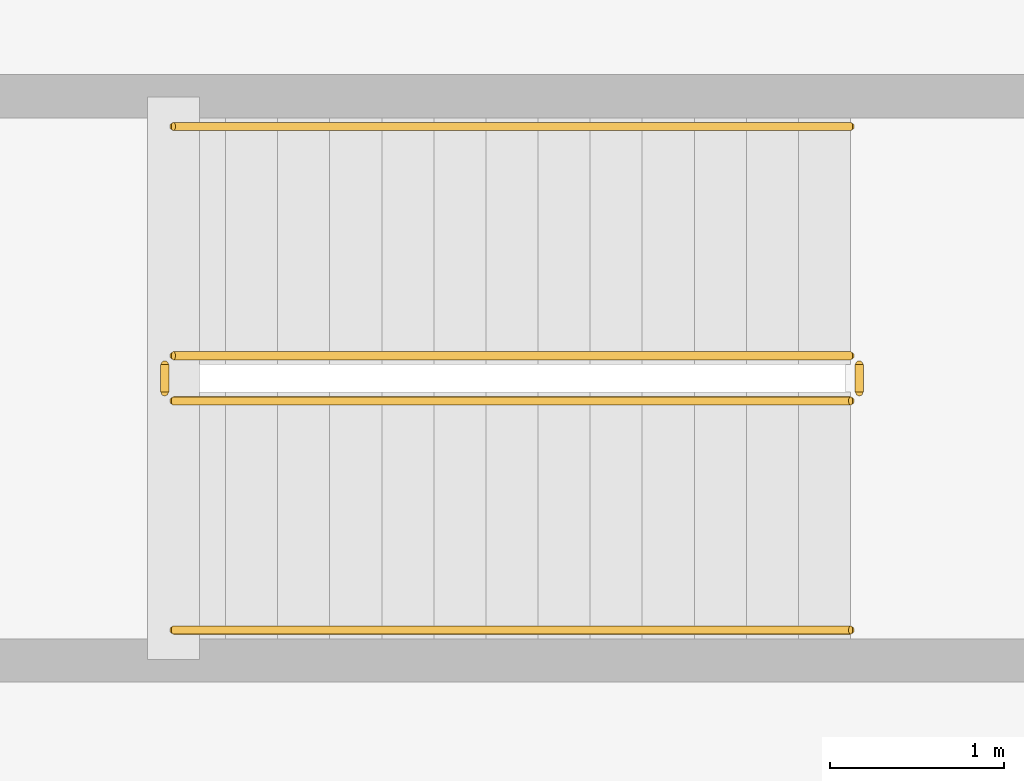
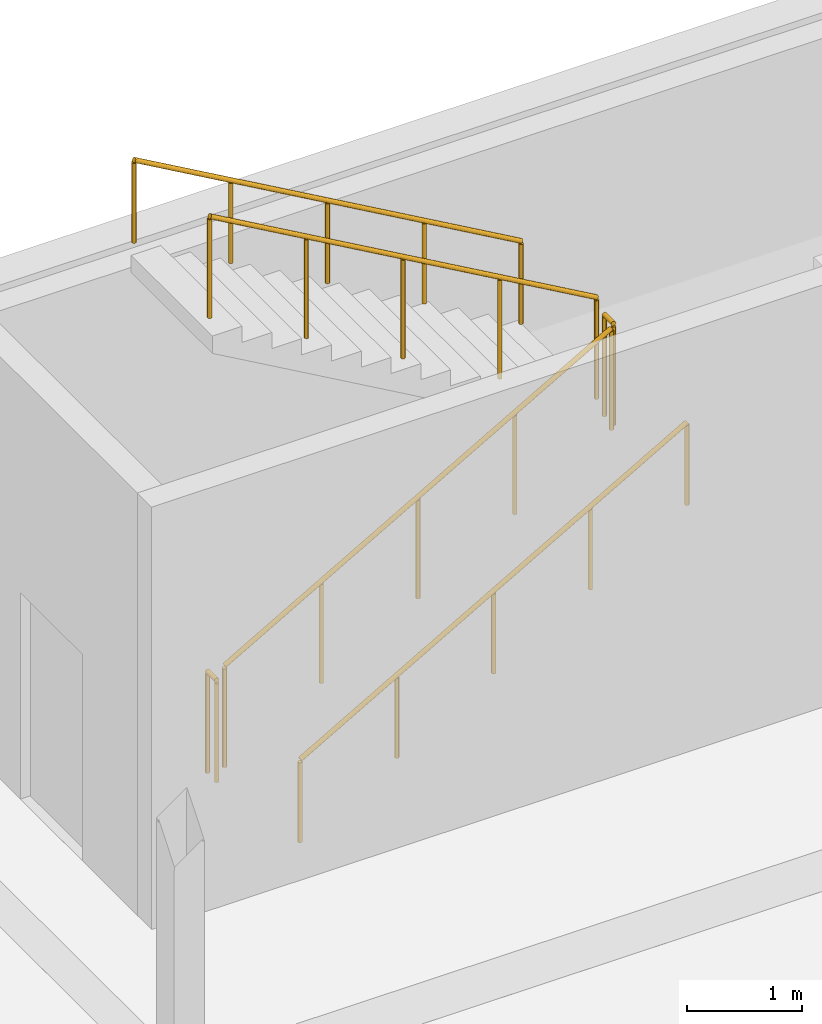
# One storey, part 84 of 101: 6 railings.
"""IFC4 building model written with IfcOpenShell, lengths in metres."""

from ifc_helpers import new_model, si_unit, direction, frame, origin, origin_2d, place, context, subcontext, project, spatial, circle, extrude, material, layer, layer_set, type_object, element, save


model = new_model("IFC4")

# Units and contexts
model_context = context("Model", 3, precision=1e-05, world=origin(), true_north=direction((0.0, 1.0)))
body_context = subcontext(model_context, "Body", "Model", "MODEL_VIEW")
ifc_project = project(units=[si_unit("LENGTHUNIT", "METRE"), si_unit("AREAUNIT", "SQUARE_METRE"), si_unit("VOLUMEUNIT", "CUBIC_METRE"), si_unit("PLANEANGLEUNIT", "RADIAN"), si_unit("MASSUNIT", "GRAM", prefix="KILO")], contexts=[model_context])

# Site, building, storey
site_placement = place(None, origin())
site = spatial("IfcSite", under=ifc_project, at=site_placement, CompositionType="ELEMENT")
building_placement = place(site_placement, origin())
building = spatial("IfcBuilding", under=site, at=building_placement, Name="Dornvale Research Institute", CompositionType="ELEMENT")
storey_placement = place(building_placement, frame((0.0, 0.0, 10.199951171875)))
storey = spatial("IfcBuildingStorey", under=building, at=storey_placement, Name="L02", CompositionType="ELEMENT", Elevation=10.199951171875)

# Railings
ifc_material_1 = material(Name="Galvanized Painted Tubular Steel Stair Rail", Category="steel")
ifc_layer_1 = layer(ifc_material_1, 0.050048828125)
ifc_layer_set_1 = layer_set([ifc_layer_1], Name="Galvanized Painted Tubular Steel Stair Rail")
railing_type_1 = type_object("IfcRailingType", Name="Railing_Stair_Guard_1100", PredefinedType="GUARDRAIL", material=ifc_layer_set_1)
railing_1_placement = place(storey_placement, frame((48.820068359375, 82.969970703125, 0.17138671875)))
element("IfcRailing", 1, at=railing_1_placement, inside=storey, type_object=railing_type_1, Name="L02 ST-8 stair guard 1", PredefinedType="GUARDRAIL", context=body_context, shape_type="SweptSolid", body=[
    extrude(circle(Radius=0.02392578125, at=origin_2d()), frame((0.0, 0.0, 1.076171875), z_axis=(0.868219727965, 0.0, 0.496179910892), x_axis=(0.0, 1.0, 0.0)), (0.0, 0.0, 1.0), 4.491943359375),
    extrude(circle(Radius=0.02099609375, at=origin_2d()), origin(), (0.0, 0.0, 1.0), 1.052001953125),
    extrude(circle(Radius=0.02099609375, at=origin_2d()), frame((0.97509765625, 0.0, 0.55712890625)), (0.0, 0.0, 1.0), 1.052001953125),
    extrude(circle(Radius=0.02099609375, at=origin_2d()), frame((1.949951171875, 0.0, 1.1142578125)), (0.0, 0.0, 1.0), 1.052001953125),
    extrude(circle(Radius=0.02099609375, at=origin_2d()), frame((2.9248046875, 0.0, 1.671630859375)), (0.0, 0.0, 1.0), 1.052001953125),
    extrude(circle(Radius=0.02099609375, at=origin_2d()), frame((3.89990234375, 0.0, 2.228759765625)), (0.0, 0.0, 1.0), 1.052001953125),
])
railing_2_placement = place(storey_placement, frame((52.77001953125, 83.02001953125, 2.400146484375)))
element("IfcRailing", 2, at=railing_2_placement, inside=storey, type_object=railing_type_1, Name="L02 ST-8 stair guard 2", PredefinedType="GUARDRAIL", context=body_context, shape_type="SweptSolid", body=[
    extrude(circle(Radius=0.02392578125, at=origin_2d()), frame((0.0, 0.0, 1.076171875), z_axis=(0.0, 1.0, 0.0), x_axis=(-1.0, 0.0, 0.0)), (0.0, 0.0, 1.0), 0.159912109375),
    extrude(circle(Radius=0.02099609375, at=origin_2d()), origin(), (0.0, 0.0, 1.0), 1.052001953125),
    extrude(circle(Radius=0.02099609375, at=origin_2d()), frame((0.0, 0.159912109375, 0.0)), (0.0, 0.0, 1.0), 1.052001953125),
])
railing_3_placement = place(storey_placement, frame((52.719970703125, 83.22998046875, 2.571533203125)))
element("IfcRailing", 3, at=railing_3_placement, inside=storey, type_object=railing_type_1, Name="L02 ST-8 stair guard 3", PredefinedType="GUARDRAIL", context=body_context, shape_type="SweptSolid", body=[
    extrude(circle(Radius=0.02392578125, at=origin_2d()), frame((0.0, 0.0, 1.076171875), z_axis=(-0.868243142124, 0.0, 0.496138938357), x_axis=(0.0, -1.0, 0.0)), (0.0, 0.0, 1.0), 4.49169921875),
    extrude(circle(Radius=0.02099609375, at=origin_2d()), origin(), (0.0, 0.0, 1.0), 1.052001953125),
    extrude(circle(Radius=0.02099609375, at=origin_2d()), frame((-0.97509765625, 0.0, 0.55712890625)), (0.0, 0.0, 1.0), 1.052001953125),
    extrude(circle(Radius=0.02099609375, at=origin_2d()), frame((-1.949951171875, 0.0, 1.1142578125)), (0.0, 0.0, 1.0), 1.052001953125),
    extrude(circle(Radius=0.02099609375, at=origin_2d()), frame((-2.9248046875, 0.0, 1.67138671875)), (0.0, 0.0, 1.0), 1.052001953125),
    extrude(circle(Radius=0.02099609375, at=origin_2d()), frame((-3.89990234375, 0.0, 2.228515625)), (0.0, 0.0, 1.0), 1.052001953125),
])
railing_4_placement = place(storey_placement, frame((48.77001953125, 83.02001953125, 0.0)))
element("IfcRailing", 4, at=railing_4_placement, inside=storey, type_object=railing_type_1, Name="L02 ST-8 stair guard 4", PredefinedType="GUARDRAIL", context=body_context, shape_type="SweptSolid", body=[
    extrude(circle(Radius=0.02392578125, at=origin_2d()), frame((0.0, 0.0, 1.076171875), z_axis=(0.0, 1.0, 0.0), x_axis=(-1.0, 0.0, 0.0)), (0.0, 0.0, 1.0), 0.159912109375),
    extrude(circle(Radius=0.02099609375, at=origin_2d()), origin(), (0.0, 0.0, 1.0), 1.052001953125),
    extrude(circle(Radius=0.02099609375, at=origin_2d()), frame((0.0, 0.159912109375, 0.0)), (0.0, 0.0, 1.0), 1.052001953125),
])
ifc_material_2 = material(Name="Galvanized Painted Tubular Steel Stair Rail", Category="steel")
ifc_layer_2 = layer(ifc_material_2, 0.044921875)
ifc_layer_set_2 = layer_set([ifc_layer_2], Name="Galvanized Painted Tubular Steel Stair Rail")
railing_type_2 = type_object("IfcRailingType", Name="Railing_Stair_Handrail_900", PredefinedType="HANDRAIL", material=ifc_layer_set_2)
railing_5_placement = place(storey_placement, frame((48.820068359375, 81.64990234375, 0.17138671875)))
element("IfcRailing", 5, at=railing_5_placement, inside=storey, type_object=railing_type_2, Name="L02 ST-8 stair handrail 1", PredefinedType="HANDRAIL", context=body_context, shape_type="SweptSolid", body=[
    extrude(circle(Radius=0.02392578125, at=origin_2d()), frame((0.0, 0.0, 0.8759765625), z_axis=(0.868219727965, 0.0, 0.496179910892), x_axis=(0.0, 1.0, 0.0)), (0.0, 0.0, 1.0), 4.491943359375),
    extrude(circle(Radius=0.02099609375, at=origin_2d()), origin(), (0.0, 0.0, 1.0), 0.851806640625),
    extrude(circle(Radius=0.02099609375, at=origin_2d()), frame((0.97509765625, 0.0, 0.55712890625)), (0.0, 0.0, 1.0), 0.851806640625),
    extrude(circle(Radius=0.02099609375, at=origin_2d()), frame((1.949951171875, 0.0, 1.1142578125)), (0.0, 0.0, 1.0), 0.851806640625),
    extrude(circle(Radius=0.02099609375, at=origin_2d()), frame((2.9248046875, 0.0, 1.671630859375)), (0.0, 0.0, 1.0), 0.851806640625),
    extrude(circle(Radius=0.02099609375, at=origin_2d()), frame((3.89990234375, 0.0, 2.228759765625)), (0.0, 0.0, 1.0), 0.851806640625),
])
railing_6_placement = place(storey_placement, frame((52.719970703125, 84.550048828125, 2.571533203125)))
element("IfcRailing", 6, at=railing_6_placement, inside=storey, type_object=railing_type_2, Name="L02 ST-8 stair handrail 2", PredefinedType="HANDRAIL", context=body_context, shape_type="SweptSolid", body=[
    extrude(circle(Radius=0.02392578125, at=origin_2d()), frame((0.0, 0.0, 0.8759765625), z_axis=(-0.868243142124, 0.0, 0.496138938357), x_axis=(0.0, -1.0, 0.0)), (0.0, 0.0, 1.0), 4.49169921875),
    extrude(circle(Radius=0.02099609375, at=origin_2d()), origin(), (0.0, 0.0, 1.0), 0.851806640625),
    extrude(circle(Radius=0.02099609375, at=origin_2d()), frame((-0.97509765625, 0.0, 0.55712890625)), (0.0, 0.0, 1.0), 0.851806640625),
    extrude(circle(Radius=0.02099609375, at=origin_2d()), frame((-1.949951171875, 0.0, 1.1142578125)), (0.0, 0.0, 1.0), 0.851806640625),
    extrude(circle(Radius=0.02099609375, at=origin_2d()), frame((-2.9248046875, 0.0, 1.67138671875)), (0.0, 0.0, 1.0), 0.851806640625),
    extrude(circle(Radius=0.02099609375, at=origin_2d()), frame((-3.89990234375, 0.0, 2.228515625)), (0.0, 0.0, 1.0), 0.851806640625),
])

save(model, "model.ifc")
